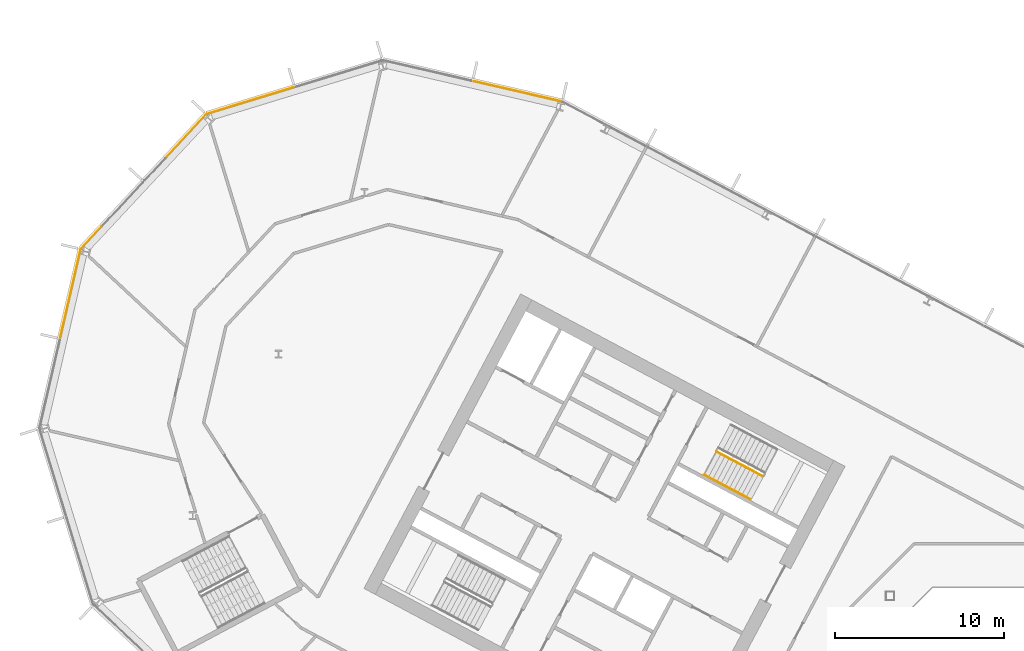
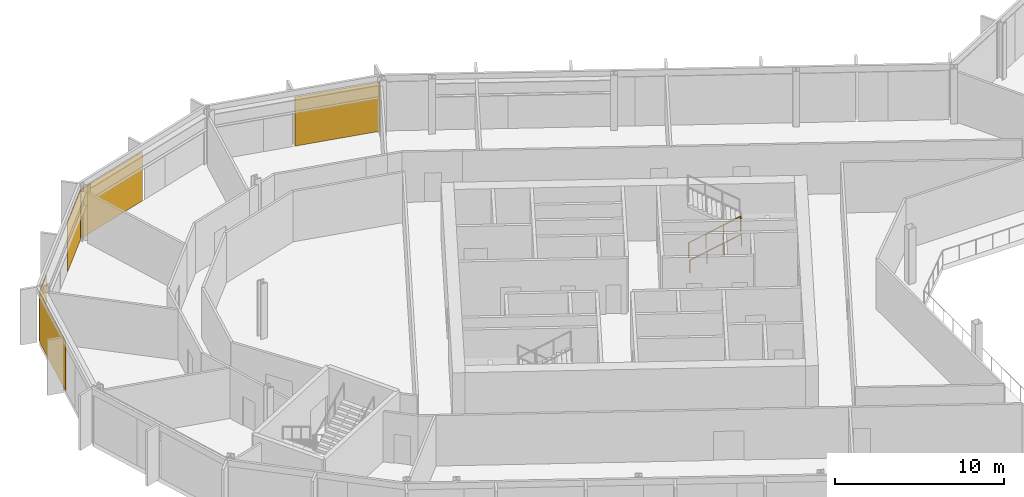
# One storey, part 22 of 28: 5 coverings, 2 railings, 4 elements without a shape of their own.
"""IFC4 building model written with IfcOpenShell, lengths in metres."""

from ifc_helpers import new_model, si_unit, direction, frame, origin, origin_2d, place, context, subcontext, project, spatial, polyline, rectangle, outline, extrude, material, layer, layer_set, type_object, element, aggregate, save


model = new_model("IFC4")

# Units and contexts
model_context = context("Model", 3, precision=1e-05, world=origin(), true_north=direction((0.0, 1.0)))
body_context = subcontext(model_context, "Body", "Model", "MODEL_VIEW")
ifc_project = project(units=[si_unit("LENGTHUNIT", "METRE"), si_unit("AREAUNIT", "SQUARE_METRE"), si_unit("VOLUMEUNIT", "CUBIC_METRE"), si_unit("PLANEANGLEUNIT", "RADIAN"), si_unit("MASSUNIT", "GRAM", prefix="KILO")], contexts=[model_context])

# Site, building, storey
site_placement = place(None, origin())
site = spatial("IfcSite", under=ifc_project, at=site_placement, CompositionType="ELEMENT")
building_placement = place(site_placement, origin())
building = spatial("IfcBuilding", under=site, at=building_placement, Name="Cormorant Relay Tower", CompositionType="ELEMENT")
storey_placement = place(building_placement, frame((0.0, 0.0, 166.199951171875)))
storey = spatial("IfcBuildingStorey", under=building, at=storey_placement, Name="L35", CompositionType="ELEMENT", Elevation=166.199951171875)

# Curtain wall, covering
ifc_material_1 = material(Name="Aluminium 6063-T6 anodised bronze", Category="aluminium")
ifc_layer_1 = layer(ifc_material_1, 0.199951171875)
ifc_layer_set_1 = layer_set([ifc_layer_1], Name="CW1 unitised bronze curtain wall with vertical fins")
curtain_wall_type = type_object("IfcCurtainWallType", Name="CW1 unitised bronze curtain wall with vertical fins", PredefinedType="NOTDEFINED", material=ifc_layer_set_1)
curtain_wall_1_placement = place(storey_placement, origin())
curtain_wall_1 = element("IfcCurtainWall", 1, at=curtain_wall_1_placement, inside=storey, type_object=curtain_wall_type, Name="CW1 curtain wall 10", PredefinedType="NOTDEFINED")
ifc_material_2 = material(Name="Pale bronze anodised aluminium insulated panel", Category="aluminium")
ifc_layer_2 = layer(ifc_material_2, 0.0400390625)
ifc_layer_set_2 = layer_set([ifc_layer_2], Name="CW1 pale bronze insulated panel 40")
covering_type = type_object("IfcCoveringType", Name="CW1 pale bronze insulated panel 40", PredefinedType="CLADDING", material=ifc_layer_set_2)
covering_1_placement = place(storey_placement, frame((-32.51708984375, 40.298828125, 0.0), z_axis=(0.0, 0.0, 1.0), x_axis=(-0.974370064785, 0.224951054344, 0.0)))
covering_1 = element("IfcCovering", 2, at=covering_1_placement, type_object=covering_type, Name="CW1 panel S00", PredefinedType="CLADDING", context=body_context, shape_type="SweptSolid", body=[
    extrude(rectangle(XDim=5.28515625, YDim=0.0400390625, at=origin_2d()), origin(), (0.0, 0.0, 1.0), 3.550048828125),
])
aggregate(curtain_wall_1, [covering_1])

curtain_wall_2_placement = place(storey_placement, origin())
curtain_wall_2 = element("IfcCurtainWall", 3, at=curtain_wall_2_placement, inside=storey, type_object=curtain_wall_type, Name="CW1 curtain wall 11", PredefinedType="NOTDEFINED")
covering_2_placement = place(storey_placement, frame((-48.3037109375, 39.73779296875, 0.0), z_axis=(0.0, 0.0, 1.0), x_axis=(-0.956304755963, -0.292371704723, 0.0)))
covering_2 = element("IfcCovering", 4, at=covering_2_placement, type_object=covering_type, Name="CW1 panel S02", PredefinedType="CLADDING", context=body_context, shape_type="SweptSolid", body=[
    extrude(rectangle(XDim=5.360107421875, YDim=0.0400390625, at=origin_2d()), origin(), (0.0, 0.0, 1.0), 3.550048828125),
])
aggregate(curtain_wall_2, [covering_2])

# Curtain wall, coverings
curtain_wall_3_placement = place(storey_placement, origin())
curtain_wall_3 = element("IfcCurtainWall", 5, at=curtain_wall_3_placement, inside=storey, type_object=curtain_wall_type, Name="CW1 curtain wall 12", PredefinedType="NOTDEFINED")
covering_3_placement = place(storey_placement, frame((-52.115234375, 37.61962890625, 0.0), z_axis=(0.0, 0.0, 1.0), x_axis=(-0.681998360062, -0.731353701619, 0.0)))
covering_3 = element("IfcCovering", 6, at=covering_3_placement, type_object=covering_type, Name="CW1 panel S00", PredefinedType="CLADDING", context=body_context, shape_type="SweptSolid", body=[
    extrude(rectangle(XDim=3.485107421875, YDim=0.0400390625, at=origin_2d()), origin(), (0.0, 0.0, 1.0), 3.550048828125),
])
covering_4_placement = place(storey_placement, frame((-57.68896484375, 31.642333984375, 0.0), z_axis=(0.0, 0.0, 1.0), x_axis=(-0.681998360062, -0.731353701619, 0.0)))
covering_4 = element("IfcCovering", 7, at=covering_4_placement, type_object=covering_type, Name="CW1 panel S03", PredefinedType="CLADDING", context=body_context, shape_type="SweptSolid", body=[
    extrude(rectangle(XDim=1.76025390625, YDim=0.0400390625, at=origin_2d()), origin(), (0.0, 0.0, 1.0), 3.550048828125),
])
aggregate(curtain_wall_3, [covering_3, covering_4])

# Curtain wall, covering
curtain_wall_4_placement = place(storey_placement, origin())
curtain_wall_4 = element("IfcCurtainWall", 8, at=curtain_wall_4_placement, inside=storey, type_object=curtain_wall_type, Name="CW1 curtain wall 13", PredefinedType="NOTDEFINED")
covering_5_placement = place(storey_placement, frame((-58.905517578125, 28.341796875, 0.0), z_axis=(0.0, 0.0, 1.0), x_axis=(-0.224951054344, -0.974370064785, 0.0)))
covering_5 = element("IfcCovering", 9, at=covering_5_placement, type_object=covering_type, Name="CW1 panel S00", PredefinedType="CLADDING", context=body_context, shape_type="SweptSolid", body=[
    extrude(rectangle(XDim=5.28515625, YDim=0.0400390625, at=origin_2d()), origin(), (0.0, 0.0, 1.0), 3.550048828125),
])
aggregate(curtain_wall_4, [covering_5])

# Railings
ifc_material_3 = material(Name="Steel ASTM A572 Grade 50 (Fy 345 MPa)", Category="steel")
railing_type_1 = type_object("IfcRailingType", Name="Stair guard 1100", PredefinedType="GUARDRAIL", material=ifc_material_3)
railing_1_placement = place(storey_placement, frame((-20.75048828125, 19.017822265625, 0.166748046875)))
element("IfcRailing", 10, at=railing_1_placement, inside=storey, type_object=railing_type_1, Name="L35 A1 stair guard 1", PredefinedType="GUARDRAIL", context=body_context, shape_type="SweptSolid", body=[
    extrude(outline(polyline([(0.022216796875, 0.00927734375), (0.00927734375, 0.022216796875), (-0.00927734375, 0.022216796875), (-0.022216796875, 0.00927734375), (-0.022216796875, -0.00927734375), (-0.00927734375, -0.022216796875), (0.00927734375, -0.022216796875), (0.022216796875, -0.00927734375), (0.022216796875, 0.00927734375)])), frame((0.0, 0.0, 1.076171875), z_axis=(0.758734504837, -0.403377838015, 0.511476559549), x_axis=(0.469427602063, 0.882970965786, 0.0)), (0.0, 0.0, 1.0), 3.584228515625),
    extrude(outline(polyline([(0.019287109375, 0.008056640625), (0.008056640625, 0.019287109375), (-0.008056640625, 0.019287109375), (-0.019287109375, 0.008056640625), (-0.019287109375, -0.008056640625), (-0.008056640625, -0.019287109375), (0.008056640625, -0.019287109375), (0.019287109375, -0.008056640625), (0.019287109375, 0.008056640625)])), origin(), (0.0, 0.0, 1.0), 1.052001953125),
    extrude(outline(polyline([(0.019287109375, 0.008056640625), (0.008056640625, 0.019287109375), (-0.008056640625, 0.019287109375), (-0.019287109375, 0.008056640625), (-0.019287109375, -0.008056640625), (-0.008056640625, -0.019287109375), (0.008056640625, -0.019287109375), (0.019287109375, -0.008056640625), (0.019287109375, 0.008056640625)])), frame((0.906494140625, -0.48193359375, 0.611083984375)), (0.0, 0.0, 1.0), 1.052001953125),
    extrude(outline(polyline([(0.019287109375, 0.008056640625), (0.008056640625, 0.019287109375), (-0.008056640625, 0.019287109375), (-0.019287109375, 0.008056640625), (-0.019287109375, -0.008056640625), (-0.008056640625, -0.019287109375), (0.008056640625, -0.019287109375), (0.019287109375, -0.008056640625), (0.019287109375, 0.008056640625)])), frame((1.81298828125, -0.9638671875, 1.22216796875)), (0.0, 0.0, 1.0), 1.052001953125),
    extrude(outline(polyline([(0.019287109375, 0.008056640625), (0.008056640625, 0.019287109375), (-0.008056640625, 0.019287109375), (-0.019287109375, 0.008056640625), (-0.019287109375, -0.008056640625), (-0.008056640625, -0.019287109375), (0.008056640625, -0.019287109375), (0.019287109375, -0.008056640625), (0.019287109375, 0.008056640625)])), frame((2.719482421875, -1.44580078125, 1.833251953125)), (0.0, 0.0, 1.0), 1.052001953125),
])
ifc_material_4 = material(Name="Steel ASTM A572 Grade 50 (Fy 345 MPa)", Category="steel")
railing_type_2 = type_object("IfcRailingType", Name="Stair handrail 900", PredefinedType="HANDRAIL", material=ifc_material_4)
railing_2_placement = place(storey_placement, frame((-21.478271484375, 17.6494140625, 0.166748046875)))
element("IfcRailing", 11, at=railing_2_placement, inside=storey, type_object=railing_type_2, Name="L35 A1 stair handrail 1", PredefinedType="HANDRAIL", context=body_context, shape_type="SweptSolid", body=[
    extrude(outline(polyline([(0.022216796875, 0.00927734375), (0.00927734375, 0.022216796875), (-0.00927734375, 0.022216796875), (-0.022216796875, 0.00927734375), (-0.022216796875, -0.00927734375), (-0.00927734375, -0.022216796875), (0.00927734375, -0.022216796875), (0.022216796875, -0.00927734375), (0.022216796875, 0.00927734375)])), frame((0.0, 0.0, 0.8759765625), z_axis=(0.758713656843, -0.403434867536, 0.511462505542), x_axis=(0.469489399267, 0.882938108802, 0.0)), (0.0, 0.0, 1.0), 3.584228515625),
    extrude(outline(polyline([(0.019287109375, 0.008056640625), (0.008056640625, 0.019287109375), (-0.008056640625, 0.019287109375), (-0.019287109375, 0.008056640625), (-0.019287109375, -0.008056640625), (-0.008056640625, -0.019287109375), (0.008056640625, -0.019287109375), (0.019287109375, -0.008056640625), (0.019287109375, 0.008056640625)])), origin(), (0.0, 0.0, 1.0), 0.851806640625),
    extrude(outline(polyline([(0.019287109375, 0.008056640625), (0.008056640625, 0.019287109375), (-0.008056640625, 0.019287109375), (-0.019287109375, 0.008056640625), (-0.019287109375, -0.008056640625), (-0.008056640625, -0.019287109375), (0.008056640625, -0.019287109375), (0.019287109375, -0.008056640625), (0.019287109375, 0.008056640625)])), frame((0.906494140625, -0.48193359375, 0.611083984375)), (0.0, 0.0, 1.0), 0.851806640625),
    extrude(outline(polyline([(0.019287109375, 0.008056640625), (0.008056640625, 0.019287109375), (-0.008056640625, 0.019287109375), (-0.019287109375, 0.008056640625), (-0.019287109375, -0.008056640625), (-0.008056640625, -0.019287109375), (0.008056640625, -0.019287109375), (0.019287109375, -0.008056640625), (0.019287109375, 0.008056640625)])), frame((1.81298828125, -0.964111328125, 1.22216796875)), (0.0, 0.0, 1.0), 0.851806640625),
    extrude(outline(polyline([(0.019287109375, 0.008056640625), (0.008056640625, 0.019287109375), (-0.008056640625, 0.019287109375), (-0.019287109375, 0.008056640625), (-0.019287109375, -0.008056640625), (-0.008056640625, -0.019287109375), (0.008056640625, -0.019287109375), (0.019287109375, -0.008056640625), (0.019287109375, 0.008056640625)])), frame((2.719482421875, -1.446044921875, 1.833251953125)), (0.0, 0.0, 1.0), 0.851806640625),
])

save(model, "model.ifc")
